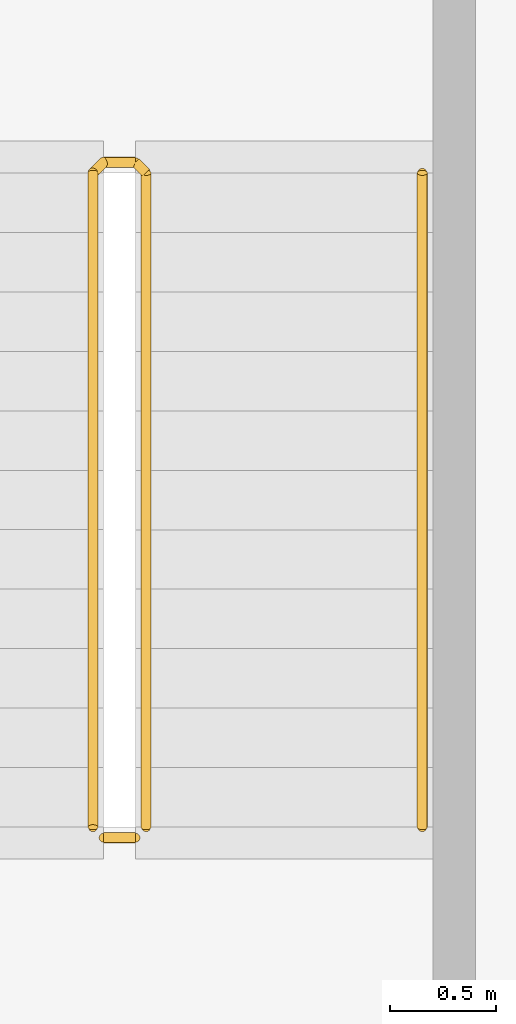
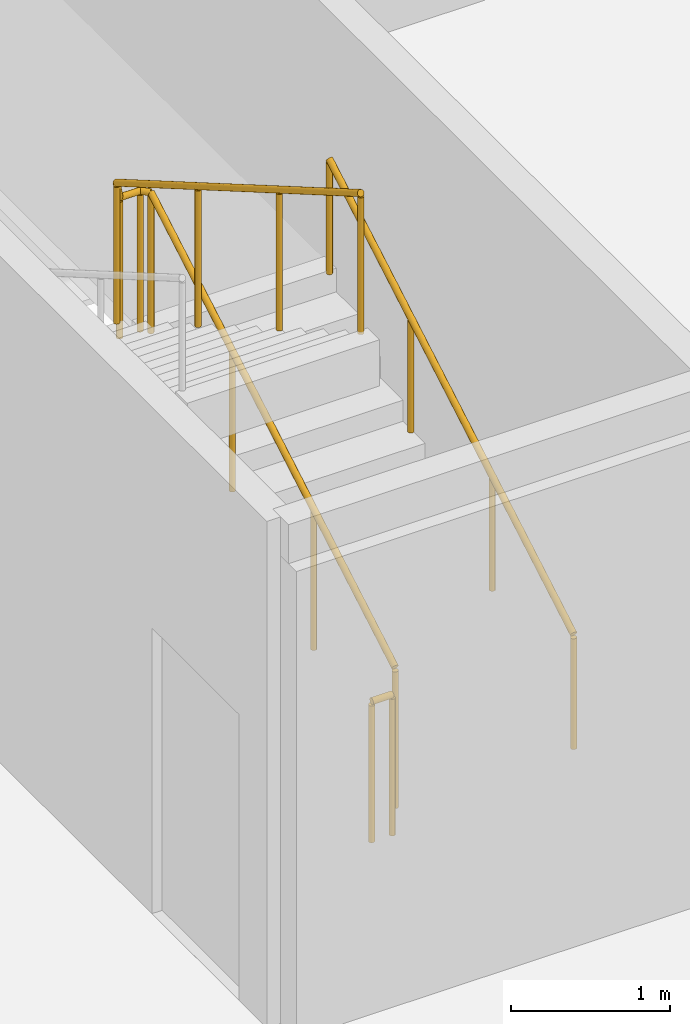
# One storey, part 22 of 23: 3 railings.
"""IFC4 building model written with IfcOpenShell, lengths in metres."""

from ifc_helpers import new_model, si_unit, direction, frame, origin, origin_2d, place, context, subcontext, project, spatial, circle, extrude, material, type_object, element, save


model = new_model("IFC4")

# Units and contexts
model_context = context("Model", 3, precision=1e-05, world=origin(), true_north=direction((0.0, 1.0)))
body_context = subcontext(model_context, "Body", "Model", "MODEL_VIEW")
ifc_project = project(units=[si_unit("LENGTHUNIT", "METRE"), si_unit("AREAUNIT", "SQUARE_METRE"), si_unit("VOLUMEUNIT", "CUBIC_METRE"), si_unit("PLANEANGLEUNIT", "RADIAN"), si_unit("MASSUNIT", "GRAM", prefix="KILO")], contexts=[model_context])

# Site, building, storey
site_placement = place(None, origin())
site = spatial("IfcSite", under=ifc_project, at=site_placement, CompositionType="ELEMENT")
building_placement = place(site_placement, origin())
building = spatial("IfcBuilding", under=site, at=building_placement, Name="Kheshtan School and Residences Tower", CompositionType="ELEMENT")
storey_placement = place(building_placement, frame((0.0, 0.0, 247.39990234375)))
storey = spatial("IfcBuildingStorey", under=building, at=storey_placement, Name="L58", CompositionType="ELEMENT", Elevation=247.39990234375)

# Railings
ifc_material_1 = material(Name="Stainless steel balustrade", Category="steel")
railing_type_1 = type_object("IfcRailingType", Name="Stair guard 1100", PredefinedType="GUARDRAIL", material=ifc_material_1)
railing_1_placement = place(storey_placement, frame((35.0, 80.89990234375, 0.16259765625)))
element("IfcRailing", 1, at=railing_1_placement, inside=storey, type_object=railing_type_1, Name="L58 ST3 stair guard 1", PredefinedType="GUARDRAIL", context=body_context, shape_type="SweptSolid", body=[
    extrude(circle(Radius=0.02392578125, at=origin_2d()), frame((0.0, 0.0, 1.076171875), z_axis=(0.0, 0.864890721111, 0.501960198159), x_axis=(-1.0, 0.0, 0.0)), (0.0, 0.0, 1.0), 3.561279296875),
    extrude(circle(Radius=0.02392578125, at=origin_2d()), frame((0.0, 3.080078125, 2.86376953125), z_axis=(-0.707106781187, 0.707106781187, 0.0), x_axis=(-0.707106781187, -0.707106781187, 0.0)), (0.0, 0.0, 1.0), 0.07080078125),
    extrude(circle(Radius=0.02392578125, at=origin_2d()), frame((-0.050048828125, 3.130126953125, 2.86376953125), z_axis=(-1.0, 0.0, 0.0), x_axis=(0.0, -1.0, 0.0)), (0.0, 0.0, 1.0), 0.14990234375),
    extrude(circle(Radius=0.02392578125, at=origin_2d()), frame((-0.199951171875, 3.130126953125, 2.86376953125), z_axis=(-0.282583949758, -0.282583949758, 0.916674763849), x_axis=(0.707106781187, -0.707106781187, 0.0)), (0.0, 0.0, 1.0), 0.177001953125),
    extrude(circle(Radius=0.02392578125, at=origin_2d()), frame((-0.25, 3.080078125, 3.02587890625), z_axis=(0.0, -0.864890721111, 0.501960198159), x_axis=(1.0, 0.0, 0.0)), (0.0, 0.0, 1.0), 3.561279296875),
    extrude(circle(Radius=0.02099609375, at=origin_2d()), origin(), (0.0, 0.0, 1.0), 1.052001953125),
    extrude(circle(Radius=0.02099609375, at=origin_2d()), frame((0.0, 1.026611328125, 0.595947265625)), (0.0, 0.0, 1.0), 1.052001953125),
    extrude(circle(Radius=0.02099609375, at=origin_2d()), frame((0.0, 2.053466796875, 1.191650390625)), (0.0, 0.0, 1.0), 1.052001953125),
    extrude(circle(Radius=0.02099609375, at=origin_2d()), frame((0.0, 3.080078125, 1.78759765625)), (0.0, 0.0, 1.0), 1.052001953125),
    extrude(circle(Radius=0.02099609375, at=origin_2d()), frame((-0.050048828125, 3.130126953125, 1.78759765625)), (0.0, 0.0, 1.0), 1.052001953125),
    extrude(circle(Radius=0.02099609375, at=origin_2d()), frame((-0.199951171875, 3.130126953125, 1.78759765625)), (0.0, 0.0, 1.0), 1.052001953125),
    extrude(circle(Radius=0.02099609375, at=origin_2d()), frame((-0.25, 3.080078125, 1.949951171875)), (0.0, 0.0, 1.0), 1.052001953125),
    extrude(circle(Radius=0.02099609375, at=origin_2d()), frame((-0.25, 2.053466796875, 2.5458984375)), (0.0, 0.0, 1.0), 1.052001953125),
    extrude(circle(Radius=0.02099609375, at=origin_2d()), frame((-0.25, 1.026611328125, 3.1416015625)), (0.0, 0.0, 1.0), 1.052001953125),
    extrude(circle(Radius=0.02099609375, at=origin_2d()), frame((-0.25, 0.0, 3.737548828125)), (0.0, 0.0, 1.0), 1.052001953125),
])
railing_2_placement = place(storey_placement, frame((34.949951171875, 80.85009765625, 0.0)))
element("IfcRailing", 2, at=railing_2_placement, inside=storey, type_object=railing_type_1, Name="L58 ST3 stair guard 2", PredefinedType="GUARDRAIL", context=body_context, shape_type="SweptSolid", body=[
    extrude(circle(Radius=0.02392578125, at=origin_2d()), frame((0.0, 0.0, 1.076171875), z_axis=(-1.0, 0.0, 0.0), x_axis=(0.0, -1.0, 0.0)), (0.0, 0.0, 1.0), 0.14990234375),
    extrude(circle(Radius=0.02099609375, at=origin_2d()), origin(), (0.0, 0.0, 1.0), 1.052001953125),
    extrude(circle(Radius=0.02099609375, at=origin_2d()), frame((-0.14990234375, 0.0, 0.0)), (0.0, 0.0, 1.0), 1.052001953125),
])
ifc_material_2 = material(Name="Stainless steel handrail", Category="steel")
railing_type_2 = type_object("IfcRailingType", Name="Stair handrail 900", PredefinedType="HANDRAIL", material=ifc_material_2)
railing_3_placement = place(storey_placement, frame((36.300048828125, 80.89990234375, 0.16259765625)))
element("IfcRailing", 3, at=railing_3_placement, inside=storey, type_object=railing_type_2, Name="L58 ST3 stair handrail 1", PredefinedType="HANDRAIL", context=body_context, shape_type="SweptSolid", body=[
    extrude(circle(Radius=0.02392578125, at=origin_2d()), frame((0.0, 0.0, 0.8759765625), z_axis=(0.0, 0.864890721111, 0.501960198159), x_axis=(-1.0, 0.0, 0.0)), (0.0, 0.0, 1.0), 3.561279296875),
    extrude(circle(Radius=0.02099609375, at=origin_2d()), origin(), (0.0, 0.0, 1.0), 0.851806640625),
    extrude(circle(Radius=0.02099609375, at=origin_2d()), frame((0.0, 1.026611328125, 0.595947265625)), (0.0, 0.0, 1.0), 0.851806640625),
    extrude(circle(Radius=0.02099609375, at=origin_2d()), frame((0.0, 2.053466796875, 1.191650390625)), (0.0, 0.0, 1.0), 0.851806640625),
    extrude(circle(Radius=0.02099609375, at=origin_2d()), frame((0.0, 3.080078125, 1.78759765625)), (0.0, 0.0, 1.0), 0.851806640625),
])

save(model, "model.ifc")
